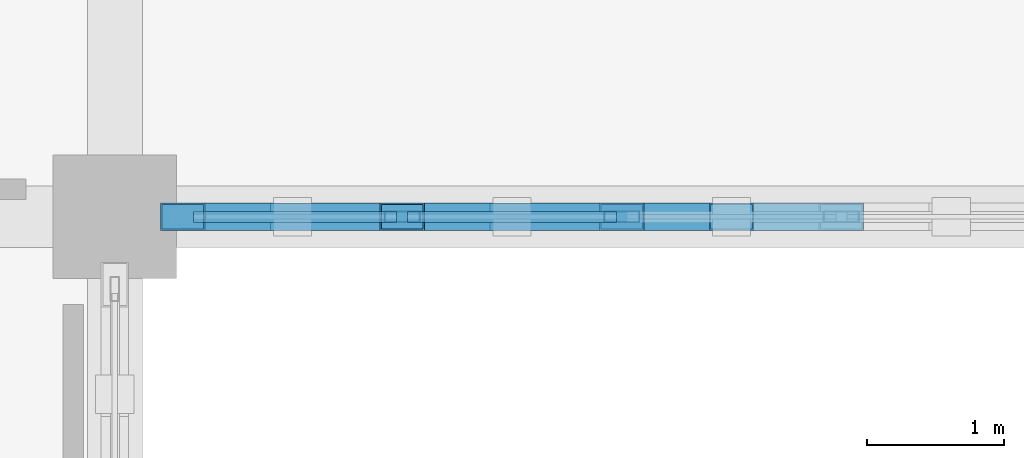
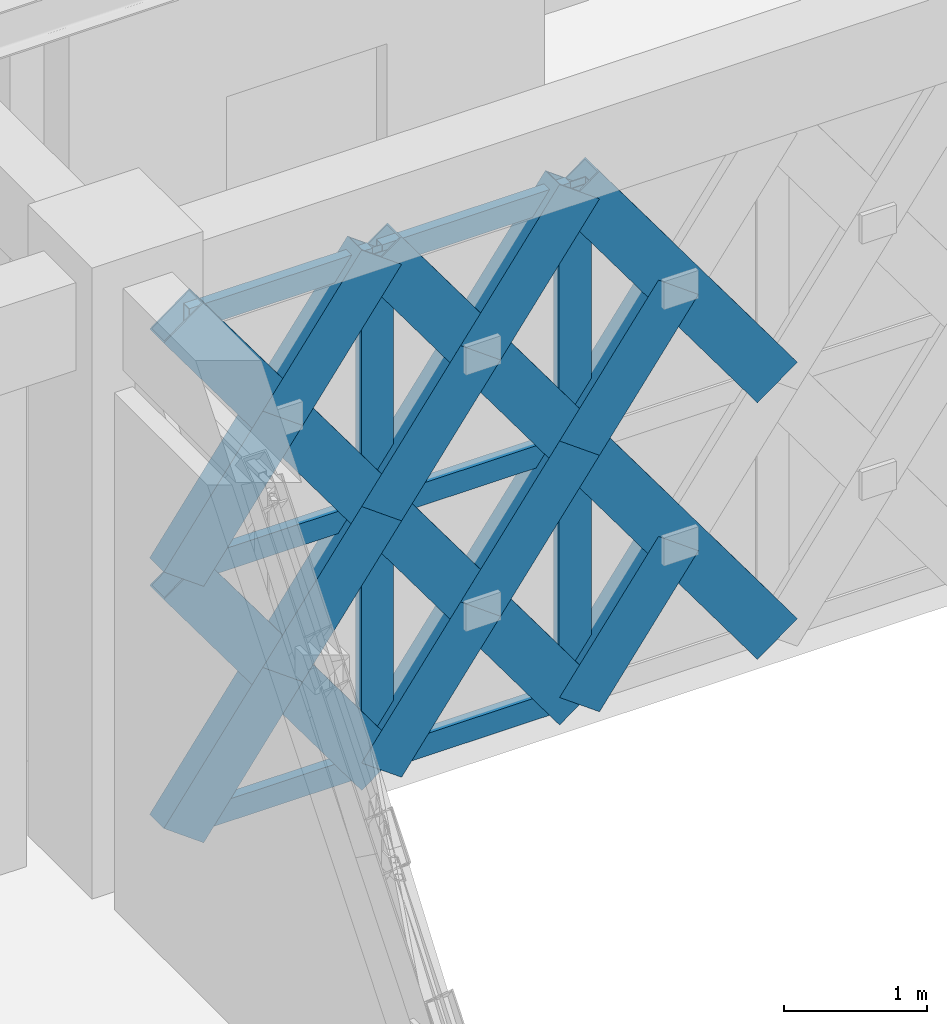
# One storey, part 80 of 166: 24 members, 1 element without a shape of its own.
"""IFC4 building model written with IfcOpenShell, lengths in metres."""

from ifc_helpers import new_model, si_unit, direction, frame, origin, origin_2d, place, context, subcontext, project, spatial, hollow_rectangle, extrude, material, material_profile, profile_set, type_object, element, aggregate, save


model = new_model("IFC4")

# Units and contexts
model_context = context("Model", 3, precision=1e-05, world=origin(), true_north=direction((0.0, 1.0)))
body_context = subcontext(model_context, "Body", "Model", "MODEL_VIEW")
ifc_project = project(units=[si_unit("LENGTHUNIT", "METRE"), si_unit("AREAUNIT", "SQUARE_METRE"), si_unit("VOLUMEUNIT", "CUBIC_METRE"), si_unit("PLANEANGLEUNIT", "RADIAN"), si_unit("MASSUNIT", "GRAM", prefix="KILO")], contexts=[model_context])

# Site, building, storey
site_placement = place(None, origin())
site = spatial("IfcSite", under=ifc_project, at=site_placement, CompositionType="ELEMENT")
building_placement = place(site_placement, origin())
building = spatial("IfcBuilding", under=site, at=building_placement, Name="Haizhuo Lancet Aquarium", CompositionType="ELEMENT")
storey_placement = place(building_placement, frame((0.0, 0.0, 5.39990234375)))
storey = spatial("IfcBuildingStorey", under=building, at=storey_placement, Name="L01", CompositionType="ELEMENT", Elevation=5.39990234375)

# Curtain wall, members
ifc_material_1 = material(Name="Aluminium 6063-T6", Category="aluminium")
curtain_wall_type = type_object("IfcCurtainWallType", Name="CWD-8010x4390", PredefinedType="NOTDEFINED", material=ifc_material_1)
curtain_wall_placement = place(storey_placement, origin())
curtain_wall = element("IfcCurtainWall", 1, at=curtain_wall_placement, inside=storey, type_object=curtain_wall_type, Name="L01 curtain wall CW-V5-L01-138", PredefinedType="NOTDEFINED")
ifc_material_profile_1 = material_profile(ifc_material_1, hollow_rectangle(XDim=0.080078125, YDim=0.260009765625, WallThickness=0.0048828125, at=origin_2d()), Name="ALU-M 80x260x5")
ifc_profile_set_1 = profile_set([ifc_material_profile_1], Name="Aluminium 6063-T6")
member_type_1 = type_object("IfcMemberType", Name="CW-MUL-3", PredefinedType="MULLION", material=ifc_profile_set_1)
member_1_placement = place(storey_placement, frame((12.698974609375, 36.0, 0.0), z_axis=(0.0, 0.0, 1.0), x_axis=(0.0, -1.0, 0.0)))
member_1 = element("IfcMember", 2, at=member_1_placement, type_object=member_type_1, Name="CWD-80x43 mullion 4", PredefinedType="MULLION", context=body_context, shape_type="SweptSolid", body=[
    extrude(hollow_rectangle(XDim=0.080078125, YDim=0.260009765625, WallThickness=0.0048828125, at=origin_2d()), origin(), (0.0, 0.0, 1.0), 4.39013671875),
])
member_2_placement = place(storey_placement, frame((11.096923828125, 36.0, 0.0), z_axis=(0.0, 0.0, 1.0), x_axis=(0.0, -1.0, 0.0)))
member_2 = element("IfcMember", 3, at=member_2_placement, type_object=member_type_1, Name="CWD-80x43 mullion 5", PredefinedType="MULLION", context=body_context, shape_type="SweptSolid", body=[
    extrude(hollow_rectangle(XDim=0.080078125, YDim=0.260009765625, WallThickness=0.0048828125, at=origin_2d()), origin(), (0.0, 0.0, 1.0), 4.39013671875),
])
ifc_material_profile_2 = material_profile(ifc_material_1, hollow_rectangle(XDim=0.080078125, YDim=0.18994140625, WallThickness=0.0048828125, at=origin_2d()), Name="ALU-T 80x190x5")
ifc_profile_set_2 = profile_set([ifc_material_profile_2], Name="Aluminium 6063-T6")
member_type_2 = type_object("IfcMemberType", Name="CW-TRN-3", PredefinedType="NOTDEFINED", material=ifc_profile_set_2)
member_3_placement = place(storey_placement, frame((12.658935546875, 36.0, 0.0400390625), z_axis=(-1.0, 0.0, 0.0), x_axis=(0.0, -1.0, 0.0)))
member_3 = element("IfcMember", 4, at=member_3_placement, type_object=member_type_2, Name="CWD-80x43 transom 4.1", ObjectType="TRANSOM", PredefinedType="USERDEFINED", context=body_context, shape_type="SweptSolid", body=[
    extrude(hollow_rectangle(XDim=0.080078125, YDim=0.18994140625, WallThickness=0.0048828125, at=origin_2d()), origin(), (0.0, 0.0, 1.0), 1.52197265625),
])
member_4_placement = place(storey_placement, frame((12.658935546875, 36.0, 2.195068359375), z_axis=(-1.0, 0.0, 0.0), x_axis=(0.0, -1.0, 0.0)))
member_4 = element("IfcMember", 5, at=member_4_placement, type_object=member_type_2, Name="CWD-80x43 transom 4.2", ObjectType="TRANSOM", PredefinedType="USERDEFINED", context=body_context, shape_type="SweptSolid", body=[
    extrude(hollow_rectangle(XDim=0.080078125, YDim=0.18994140625, WallThickness=0.0048828125, at=origin_2d()), origin(), (0.0, 0.0, 1.0), 1.52197265625),
])
member_5_placement = place(storey_placement, frame((12.658935546875, 36.0, 4.35009765625), z_axis=(-1.0, 0.0, 0.0), x_axis=(0.0, -1.0, 0.0)))
member_5 = element("IfcMember", 6, at=member_5_placement, type_object=member_type_2, Name="CWD-80x43 transom 4.3", ObjectType="TRANSOM", PredefinedType="USERDEFINED", context=body_context, shape_type="SweptSolid", body=[
    extrude(hollow_rectangle(XDim=0.080078125, YDim=0.18994140625, WallThickness=0.0048828125, at=origin_2d()), origin(), (0.0, 0.0, 1.0), 1.52197265625),
])
member_6_placement = place(storey_placement, frame((11.056884765625, 36.0, 0.0400390625), z_axis=(-1.0, 0.0, 0.0), x_axis=(0.0, -1.0, 0.0)))
member_6 = element("IfcMember", 7, at=member_6_placement, type_object=member_type_2, Name="CWD-80x43 transom 5.1", ObjectType="TRANSOM", PredefinedType="USERDEFINED", context=body_context, shape_type="SweptSolid", body=[
    extrude(hollow_rectangle(XDim=0.080078125, YDim=0.18994140625, WallThickness=0.0048828125, at=origin_2d()), origin(), (0.0, 0.0, 1.0), 1.48193359375),
])
member_7_placement = place(storey_placement, frame((11.056884765625, 36.0, 2.195068359375), z_axis=(-1.0, 0.0, 0.0), x_axis=(0.0, -1.0, 0.0)))
member_7 = element("IfcMember", 8, at=member_7_placement, type_object=member_type_2, Name="CWD-80x43 transom 5.2", ObjectType="TRANSOM", PredefinedType="USERDEFINED", context=body_context, shape_type="SweptSolid", body=[
    extrude(hollow_rectangle(XDim=0.080078125, YDim=0.18994140625, WallThickness=0.0048828125, at=origin_2d()), origin(), (0.0, 0.0, 1.0), 1.48193359375),
])
member_8_placement = place(storey_placement, frame((11.056884765625, 36.0, 4.35009765625), z_axis=(-1.0, 0.0, 0.0), x_axis=(0.0, -1.0, 0.0)))
member_8 = element("IfcMember", 9, at=member_8_placement, type_object=member_type_2, Name="CWD-80x43 transom 5.3", ObjectType="TRANSOM", PredefinedType="USERDEFINED", context=body_context, shape_type="SweptSolid", body=[
    extrude(hollow_rectangle(XDim=0.080078125, YDim=0.18994140625, WallThickness=0.0048828125, at=origin_2d()), origin(), (0.0, 0.0, 1.0), 1.48193359375),
])
aggregate(curtain_wall, [member_1, member_2, member_3, member_4, member_5, member_6, member_7, member_8])

# Members
ifc_material_2 = material(Name="Steel S355", Category="steel")
ifc_material_profile_3 = material_profile(ifc_material_2, hollow_rectangle(XDim=0.199951171875, YDim=0.39990234375, WallThickness=0.011962890625, at=origin_2d()), Name="RHS 200x400x12")
ifc_profile_set_3 = profile_set([ifc_material_profile_3], Name="Steel S355")
member_type_3 = type_object("IfcMemberType", Name="MEM-LB-RHS200x400", PredefinedType="BRACE", material=ifc_profile_set_3)
member_9_placement = place(storey_placement, frame((14.301025390625, 36.0, 0.0), z_axis=(-0.589527691225, 0.0, 0.807748166992), x_axis=(0.0, -1.0, 0.0)))
element("IfcMember", 10, at=member_9_placement, inside=storey, type_object=member_type_3, Name="Gothic lancet continuous diagonal brace CW-V5-L01-138 5A", PredefinedType="BRACE", context=body_context, shape_type="SweptSolid", body=[
    extrude(hollow_rectangle(XDim=0.199951171875, YDim=0.39990234375, WallThickness=0.011962890625, at=origin_2d()), origin(), (0.0, 0.0, 1.0), 2.717529296875),
])
member_10_placement = place(storey_placement, frame((12.698974609375, 36.0, 0.0), z_axis=(0.589313844519, 0.0, 0.807904197698), x_axis=(0.0, 1.0, 0.0)))
element("IfcMember", 11, at=member_10_placement, inside=storey, type_object=member_type_3, Name="Gothic lancet split diagonal brace CW-V5-L01-138 5B1", PredefinedType="BRACE", context=body_context, shape_type="SweptSolid", body=[
    extrude(hollow_rectangle(XDim=0.199951171875, YDim=0.39990234375, WallThickness=0.011962890625, at=origin_2d()), origin(), (0.0, 0.0, 1.0), 1.359130859375),
])
member_11_placement = place(storey_placement, frame((14.301025390625, 36.0, 2.195068359375), z_axis=(-0.589527691225, 0.0, 0.807748166992), x_axis=(0.0, -1.0, 0.0)))
element("IfcMember", 12, at=member_11_placement, inside=storey, type_object=member_type_3, Name="Gothic lancet continuous diagonal brace CW-V5-L01-138 6A", PredefinedType="BRACE", context=body_context, shape_type="SweptSolid", body=[
    extrude(hollow_rectangle(XDim=0.199951171875, YDim=0.39990234375, WallThickness=0.011962890625, at=origin_2d()), origin(), (0.0, 0.0, 1.0), 2.717529296875),
])
member_12_placement = place(storey_placement, frame((12.698974609375, 36.0, 2.195068359375), z_axis=(0.589741651814, 0.0, 0.807591966352), x_axis=(0.0, 1.0, 0.0)))
element("IfcMember", 13, at=member_12_placement, inside=storey, type_object=member_type_3, Name="Gothic lancet split diagonal brace CW-V5-L01-138 6B1", PredefinedType="BRACE", context=body_context, shape_type="SweptSolid", body=[
    extrude(hollow_rectangle(XDim=0.199951171875, YDim=0.39990234375, WallThickness=0.011962890625, at=origin_2d()), origin(), (0.0, 0.0, 1.0), 1.358154296875),
])
member_13_placement = place(storey_placement, frame((12.698974609375, 36.0, 0.0), z_axis=(-0.589527691225, 0.0, 0.807748166992), x_axis=(0.0, -1.0, 0.0)))
element("IfcMember", 14, at=member_13_placement, inside=storey, type_object=member_type_3, Name="Gothic lancet continuous diagonal brace CW-V5-L01-138 7A", PredefinedType="BRACE", context=body_context, shape_type="SweptSolid", body=[
    extrude(hollow_rectangle(XDim=0.199951171875, YDim=0.39990234375, WallThickness=0.011962890625, at=origin_2d()), origin(), (0.0, 0.0, 1.0), 2.717529296875),
])
member_14_placement = place(storey_placement, frame((11.096923828125, 36.0, 0.0), z_axis=(0.589313844519, 0.0, 0.807904197698), x_axis=(0.0, 1.0, 0.0)))
element("IfcMember", 15, at=member_14_placement, inside=storey, type_object=member_type_3, Name="Gothic lancet split diagonal brace CW-V5-L01-138 7B1", PredefinedType="BRACE", context=body_context, shape_type="SweptSolid", body=[
    extrude(hollow_rectangle(XDim=0.199951171875, YDim=0.39990234375, WallThickness=0.011962890625, at=origin_2d()), origin(), (0.0, 0.0, 1.0), 1.359130859375),
])
member_15_placement = place(storey_placement, frame((11.89794921875, 36.0, 1.09814453125), z_axis=(0.589741651814, 0.0, 0.807591966352), x_axis=(0.0, 1.0, 0.0)))
element("IfcMember", 16, at=member_15_placement, inside=storey, type_object=member_type_3, Name="Gothic lancet split diagonal brace CW-V5-L01-138 7B2", PredefinedType="BRACE", context=body_context, shape_type="SweptSolid", body=[
    extrude(hollow_rectangle(XDim=0.199951171875, YDim=0.39990234375, WallThickness=0.011962890625, at=origin_2d()), origin(), (0.0, 0.0, 1.0), 1.358154296875),
])
member_16_placement = place(storey_placement, frame((12.698974609375, 36.0, 2.195068359375), z_axis=(-0.589527691225, 0.0, 0.807748166992), x_axis=(0.0, -1.0, 0.0)))
element("IfcMember", 17, at=member_16_placement, inside=storey, type_object=member_type_3, Name="Gothic lancet continuous diagonal brace CW-V5-L01-138 8A", PredefinedType="BRACE", context=body_context, shape_type="SweptSolid", body=[
    extrude(hollow_rectangle(XDim=0.199951171875, YDim=0.39990234375, WallThickness=0.011962890625, at=origin_2d()), origin(), (0.0, 0.0, 1.0), 2.717529296875),
])
member_17_placement = place(storey_placement, frame((11.096923828125, 36.0, 2.195068359375), z_axis=(0.589741651814, 0.0, 0.807591966352), x_axis=(0.0, 1.0, 0.0)))
element("IfcMember", 18, at=member_17_placement, inside=storey, type_object=member_type_3, Name="Gothic lancet split diagonal brace CW-V5-L01-138 8B1", PredefinedType="BRACE", context=body_context, shape_type="SweptSolid", body=[
    extrude(hollow_rectangle(XDim=0.199951171875, YDim=0.39990234375, WallThickness=0.011962890625, at=origin_2d()), origin(), (0.0, 0.0, 1.0), 1.358154296875),
])
member_18_placement = place(storey_placement, frame((11.89794921875, 36.0, 3.2919921875), z_axis=(0.589313844519, 0.0, 0.807904197698), x_axis=(0.0, 1.0, 0.0)))
element("IfcMember", 19, at=member_18_placement, inside=storey, type_object=member_type_3, Name="Gothic lancet split diagonal brace CW-V5-L01-138 8B2", PredefinedType="BRACE", context=body_context, shape_type="SweptSolid", body=[
    extrude(hollow_rectangle(XDim=0.199951171875, YDim=0.39990234375, WallThickness=0.011962890625, at=origin_2d()), origin(), (0.0, 0.0, 1.0), 1.359130859375),
])
member_19_placement = place(storey_placement, frame((11.096923828125, 36.0, 0.0), z_axis=(-0.589469070059, 0.0, 0.807790947859), x_axis=(0.0, -1.0, 0.0)))
element("IfcMember", 20, at=member_19_placement, inside=storey, type_object=member_type_3, Name="Gothic lancet continuous diagonal brace CW-V5-L01-138 9A", PredefinedType="BRACE", context=body_context, shape_type="SweptSolid", body=[
    extrude(hollow_rectangle(XDim=0.199951171875, YDim=0.39990234375, WallThickness=0.011962890625, at=origin_2d()), origin(), (0.0, 0.0, 1.0), 2.71728515625),
])
member_20_placement = place(storey_placement, frame((9.4951171875, 36.0, 0.0), z_axis=(0.589196590133, 0.0, 0.807989714152), x_axis=(0.0, 1.0, 0.0)))
element("IfcMember", 21, at=member_20_placement, inside=storey, type_object=member_type_3, Name="Gothic lancet split diagonal brace CW-V5-L01-138 9B1", PredefinedType="BRACE", context=body_context, shape_type="SweptSolid", body=[
    extrude(hollow_rectangle(XDim=0.199951171875, YDim=0.39990234375, WallThickness=0.011962890625, at=origin_2d()), origin(), (0.0, 0.0, 1.0), 1.359130859375),
])
member_21_placement = place(storey_placement, frame((10.2958984375, 36.0, 1.09814453125), z_axis=(0.589741651814, 0.0, 0.807591966352), x_axis=(0.0, 1.0, 0.0)))
element("IfcMember", 22, at=member_21_placement, inside=storey, type_object=member_type_3, Name="Gothic lancet split diagonal brace CW-V5-L01-138 9B2", PredefinedType="BRACE", context=body_context, shape_type="SweptSolid", body=[
    extrude(hollow_rectangle(XDim=0.199951171875, YDim=0.39990234375, WallThickness=0.011962890625, at=origin_2d()), origin(), (0.0, 0.0, 1.0), 1.358154296875),
])
member_22_placement = place(storey_placement, frame((11.096923828125, 36.0, 2.195068359375), z_axis=(-0.589469070059, 0.0, 0.807790947859), x_axis=(0.0, -1.0, 0.0)))
element("IfcMember", 23, at=member_22_placement, inside=storey, type_object=member_type_3, Name="Gothic lancet continuous diagonal brace CW-V5-L01-138 10A", PredefinedType="BRACE", context=body_context, shape_type="SweptSolid", body=[
    extrude(hollow_rectangle(XDim=0.199951171875, YDim=0.39990234375, WallThickness=0.011962890625, at=origin_2d()), origin(), (0.0, 0.0, 1.0), 2.71728515625),
])
member_23_placement = place(storey_placement, frame((9.4951171875, 36.0, 2.195068359375), z_axis=(0.58962440296, 0.0, 0.807677573933), x_axis=(0.0, 1.0, 0.0)))
element("IfcMember", 24, at=member_23_placement, inside=storey, type_object=member_type_3, Name="Gothic lancet split diagonal brace CW-V5-L01-138 10B1", PredefinedType="BRACE", context=body_context, shape_type="SweptSolid", body=[
    extrude(hollow_rectangle(XDim=0.199951171875, YDim=0.39990234375, WallThickness=0.011962890625, at=origin_2d()), origin(), (0.0, 0.0, 1.0), 1.358154296875),
])
member_24_placement = place(storey_placement, frame((10.2958984375, 36.0, 3.2919921875), z_axis=(0.589313844519, 0.0, 0.807904197698), x_axis=(0.0, 1.0, 0.0)))
element("IfcMember", 25, at=member_24_placement, inside=storey, type_object=member_type_3, Name="Gothic lancet split diagonal brace CW-V5-L01-138 10B2", PredefinedType="BRACE", context=body_context, shape_type="SweptSolid", body=[
    extrude(hollow_rectangle(XDim=0.199951171875, YDim=0.39990234375, WallThickness=0.011962890625, at=origin_2d()), origin(), (0.0, 0.0, 1.0), 1.359130859375),
])

save(model, "model.ifc")
